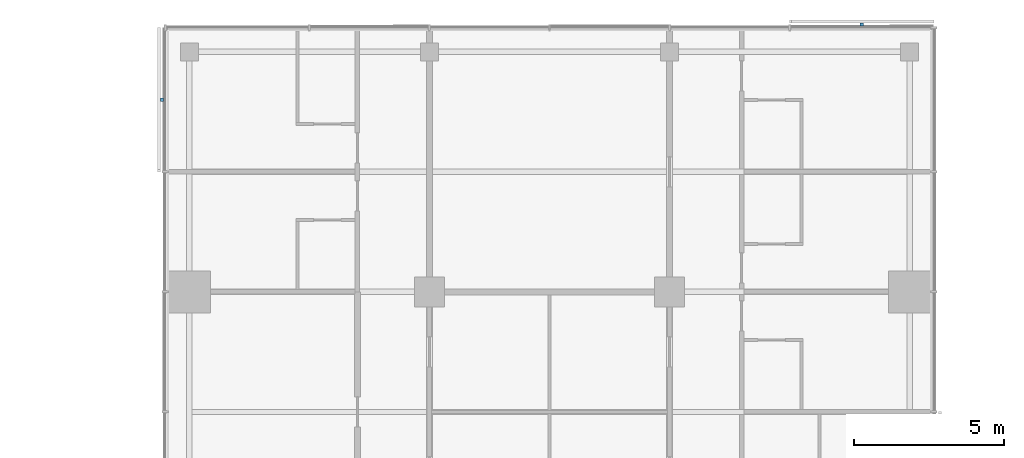
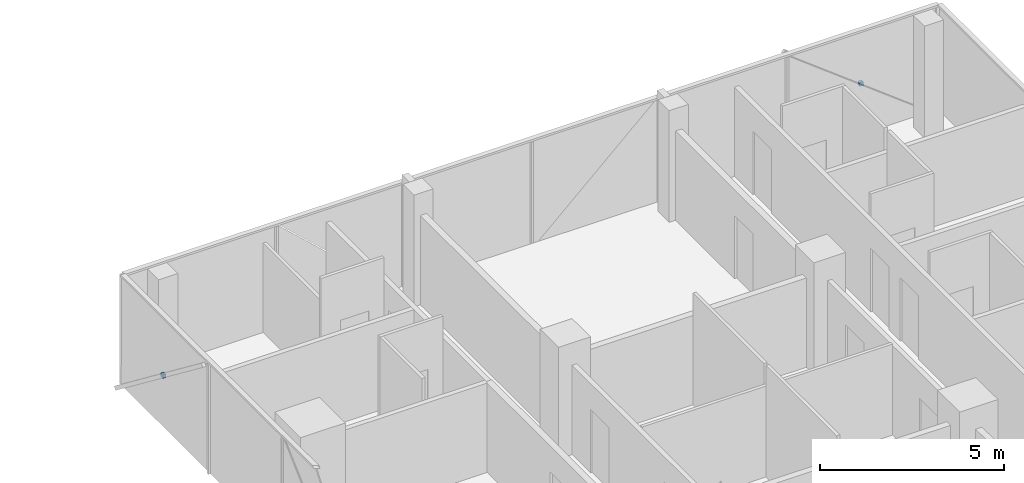
# One storey, part 26 of 27: 2 discrete accessories.
"""IFC4 building model written with IfcOpenShell, lengths in metres."""

from ifc_helpers import new_model, si_unit, direction, frame, origin, origin_2d, place, context, subcontext, project, spatial, rectangle, extrude, material, type_object, element, save


model = new_model("IFC4")

# Units and contexts
model_context = context("Model", 3, precision=1e-05, world=origin(), true_north=direction((0.0, 1.0)))
body_context = subcontext(model_context, "Body", "Model", "MODEL_VIEW")
ifc_project = project(units=[si_unit("LENGTHUNIT", "METRE"), si_unit("AREAUNIT", "SQUARE_METRE"), si_unit("VOLUMEUNIT", "CUBIC_METRE"), si_unit("PLANEANGLEUNIT", "RADIAN"), si_unit("MASSUNIT", "GRAM", prefix="KILO")], contexts=[model_context])

# Site, building, storey
site_placement = place(None, origin())
site = spatial("IfcSite", under=ifc_project, at=site_placement, CompositionType="ELEMENT")
building_placement = place(site_placement, origin())
building = spatial("IfcBuilding", under=site, at=building_placement, Name="Crosswind Convention Tower", CompositionType="ELEMENT")
storey_placement = place(building_placement, frame((0.0, 0.0, 79.39990234375)))
storey = spatial("IfcBuildingStorey", under=building, at=storey_placement, Name="L14", CompositionType="ELEMENT", Elevation=79.39990234375)

# Discrete accessories
ifc_material = material(Name="Stainless steel", Category="steel")
discrete_accessory_type = type_object("IfcDiscreteAccessoryType", Name="BAGUETTE BRACKET BK2", PredefinedType="BRACKET", material=ifc_material)
for number, where, z_axis, x_axis, name in (
    (1, (135.39990234375, 136.907958984375, 1.4775390625), (0.0, 0.0, 1.0), (-1.0, 0.0, 0.0), "BK2 baguette bracket"),
    (2, (112.092041015625, 134.39990234375, 1.4775390625), (0.0, 0.0, 1.0), (0.0, -1.0, 0.0), "BK2 baguette bracket"),
):
    element("IfcDiscreteAccessory", number, at=place(storey_placement, frame(where, z_axis=z_axis, x_axis=x_axis)), inside=storey, type_object=discrete_accessory_type, Name=name, PredefinedType="BRACKET", context=body_context, shape_type="SweptSolid", body=[
        extrude(rectangle(XDim=0.1201171875, YDim=0.10009765625, at=origin_2d()), origin(), (0.0, 0.0, 1.0), 0.1201171875),
    ])

save(model, "model.ifc")
